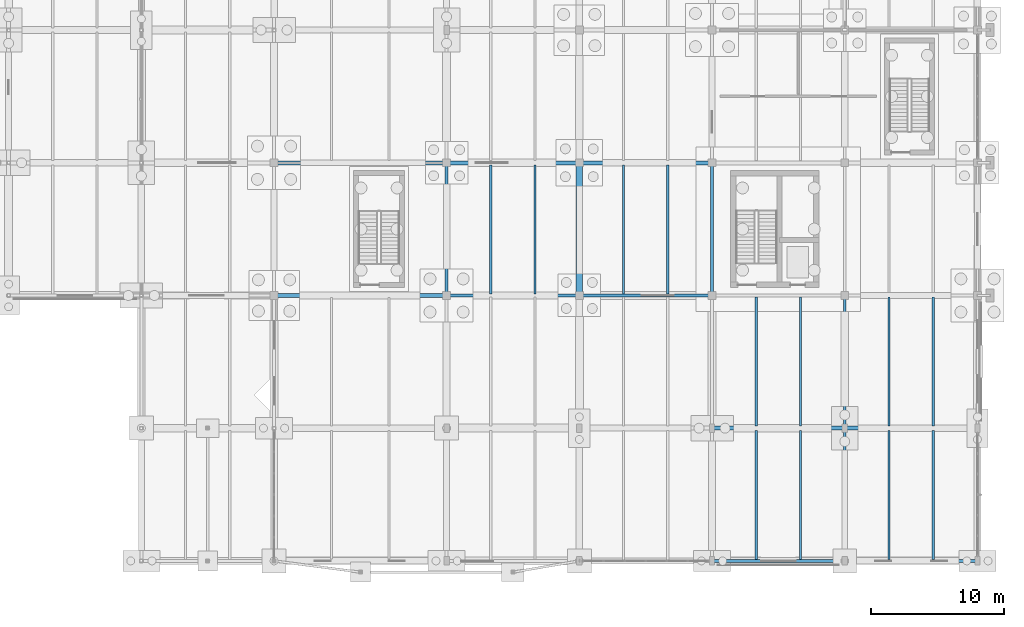
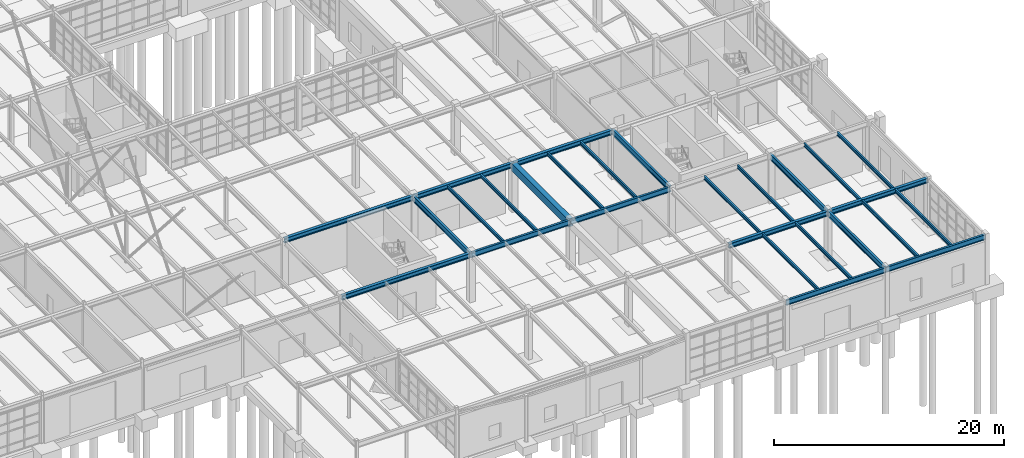
# One storey, part 65 of 145: 27 beams.
"""IFC4 building model written with IfcOpenShell, lengths in metres."""

from ifc_helpers import new_model, si_unit, direction, frame, origin, origin_2d, place, context, subcontext, project, spatial, rectangle, i_section, extrude, material, material_profile, profile_set, type_object, element, save


model = new_model("IFC4")

# Units and contexts
model_context = context("Model", 3, precision=1e-05, world=origin(), true_north=direction((0.0, 1.0)))
body_context = subcontext(model_context, "Body", "Model", "MODEL_VIEW")
ifc_project = project(units=[si_unit("LENGTHUNIT", "METRE"), si_unit("AREAUNIT", "SQUARE_METRE"), si_unit("VOLUMEUNIT", "CUBIC_METRE"), si_unit("PLANEANGLEUNIT", "RADIAN"), si_unit("MASSUNIT", "GRAM", prefix="KILO"), si_unit("THERMODYNAMICTEMPERATUREUNIT", "KELVIN"), si_unit("POWERUNIT", "WATT")], contexts=[model_context])

# Site, building, storey
site_placement = place(None, origin())
site = spatial("IfcSite", under=ifc_project, at=site_placement, CompositionType="ELEMENT")
building_placement = place(site_placement, origin())
building = spatial("IfcBuilding", under=site, at=building_placement, Name="Korenveer Ferry Terminal", CompositionType="ELEMENT")
storey_placement = place(building_placement, origin())
storey = spatial("IfcBuildingStorey", under=building, at=storey_placement, Name="L00", CompositionType="ELEMENT", Elevation=0.0)

# Beams
ifc_material_1 = material(Name="Steel S355", Category="steel")
ifc_material_profile_1 = material_profile(ifc_material_1, i_section(OverallWidth=0.300048828125, OverallDepth=0.5, WebThickness=0.014404296875, FlangeThickness=0.028076171875, FilletRadius=0.027099609375, at=origin_2d()), Name="HEB 500")
ifc_profile_set_1 = profile_set([ifc_material_profile_1], Name="Steel S355")
beam_type_1 = type_object("IfcBeamType", Name="STR-BM-HEB500", PredefinedType="BEAM", material=ifc_profile_set_1)
for number, where, z_axis, x_axis, name in (
    (1, (156.02001953125, 10.0, 4.8701171875), (1.0, 0.0, 0.0), (0.0, 1.0, 0.0), "Primary X girder BMX-L01-X156-166-Y10"),
    (2, (166.02001953125, 10.0, 4.8701171875), (1.0, 0.0, 0.0), (0.0, 1.0, 0.0), "Primary X girder BMX-L01-X166-176-Y10"),
):
    element("IfcBeam", number, at=place(storey_placement, frame(where, z_axis=z_axis, x_axis=x_axis)), inside=storey, type_object=beam_type_1, Name=name, PredefinedType="BEAM", context=body_context, shape_type="SweptSolid", body=[
        extrude(i_section(OverallWidth=0.300048828125, OverallDepth=0.5, WebThickness=0.014404296875, FlangeThickness=0.028076171875, FilletRadius=0.027099609375, at=origin_2d()), origin(), (0.0, 0.0, 1.0), 9.9599609375),
    ])
for number, where, z_axis, x_axis, name in (
    (3, (123.02001953125, 20.0, 4.8701171875), (1.0, 0.0, 0.0), (0.0, 1.0, 0.0), "Primary X girder BMX-L01-X123-136-Y20"),
    (4, (123.02001953125, 30.0, 4.8701171875), (1.0, 0.0, 0.0), (0.0, 1.0, 0.0), "Primary X girder BMX-L01-X123-136-Y30"),
):
    element("IfcBeam", number, at=place(storey_placement, frame(where, z_axis=z_axis, x_axis=x_axis)), inside=storey, type_object=beam_type_1, Name=name, PredefinedType="BEAM", context=body_context, shape_type="SweptSolid", body=[
        extrude(i_section(OverallWidth=0.300048828125, OverallDepth=0.5, WebThickness=0.014404296875, FlangeThickness=0.028076171875, FilletRadius=0.027099609375, at=origin_2d()), origin(), (0.0, 0.0, 1.0), 12.9599609375),
    ])
for number, where, z_axis, x_axis, name in (
    (5, (136.02001953125, 30.0, 4.8701171875), (1.0, 0.0, 0.0), (0.0, 1.0, 0.0), "Primary X girder BMX-L01-X136-146-Y30"),
    (6, (146.02001953125, 30.0, 4.8701171875), (1.0, 0.0, 0.0), (0.0, 1.0, 0.0), "Primary X girder BMX-L01-X146-156-Y30"),
):
    element("IfcBeam", number, at=place(storey_placement, frame(where, z_axis=z_axis, x_axis=x_axis)), inside=storey, type_object=beam_type_1, Name=name, PredefinedType="BEAM", context=body_context, shape_type="SweptSolid", body=[
        extrude(i_section(OverallWidth=0.300048828125, OverallDepth=0.5, WebThickness=0.014404296875, FlangeThickness=0.028076171875, FilletRadius=0.027099609375, at=origin_2d()), origin(), (0.0, 0.0, 1.0), 9.9599609375),
    ])
ifc_material_profile_2 = material_profile(ifc_material_1, i_section(OverallWidth=0.2099609375, OverallDepth=0.550048828125, WebThickness=0.010986328125, FlangeThickness=0.01708984375, FilletRadius=0.02392578125, at=origin_2d()), Name="IPE 550")
ifc_profile_set_2 = profile_set([ifc_material_profile_2], Name="Steel S355")
beam_type_2 = type_object("IfcBeamType", Name="STR-BM-IPE550", PredefinedType="BEAM", material=ifc_profile_set_2)
for number, where, z_axis, x_axis, name in (
    (7, (156.02001953125, 0.0, 4.905029296875), (1.0, 0.0, 0.0), (0.0, 1.0, 0.0), "Primary X girder BMX-L01-X156-166-Y0"),
    (8, (166.02001953125, 0.0, 4.905029296875), (1.0, 0.0, 0.0), (0.0, 1.0, 0.0), "Primary X girder BMX-L01-X166-176-Y0"),
    (9, (136.02001953125, 20.0, 4.844970703125), (1.0, 0.0, 0.0), (0.0, 1.0, 0.0), "Primary X girder BMX-L01-X136-146-Y20"),
    (10, (146.02001953125, 20.0, 4.844970703125), (1.0, 0.0, 0.0), (0.0, 1.0, 0.0), "Primary X girder BMX-L01-X146-156-Y20"),
):
    element("IfcBeam", number, at=place(storey_placement, frame(where, z_axis=z_axis, x_axis=x_axis)), inside=storey, type_object=beam_type_2, Name=name, PredefinedType="BEAM", context=body_context, shape_type="SweptSolid", body=[
        extrude(i_section(OverallWidth=0.2099609375, OverallDepth=0.550048828125, WebThickness=0.010986328125, FlangeThickness=0.01708984375, FilletRadius=0.02392578125, at=origin_2d()), origin(), (0.0, 0.0, 1.0), 9.9599609375),
    ])
ifc_material_profile_3 = material_profile(ifc_material_1, i_section(OverallWidth=0.219970703125, OverallDepth=0.60009765625, WebThickness=0.011962890625, FlangeThickness=0.01904296875, FilletRadius=0.02392578125, at=origin_2d()), Name="IPE 600")
ifc_profile_set_3 = profile_set([ifc_material_profile_3], Name="Steel S355")
beam_type_3 = type_object("IfcBeamType", Name="STR-BM-IPE600", PredefinedType="BEAM", material=ifc_profile_set_3)
for number, where, z_axis, x_axis, name in (
    (11, (136.0, 20.02001953125, 4.820068359375), (0.0, 1.0, 0.0), (-1.0, 0.0, 0.0), "Primary Y girder BMY-L01-X136-Y20-30"),
    (12, (156.0, 20.02001953125, 4.820068359375), (0.0, 1.0, 0.0), (-1.0, 0.0, 0.0), "Primary Y girder BMY-L01-X156-Y20-30"),
    (13, (166.0, 0.02001953125, 4.8798828125), (0.0, 1.0, 0.0), (-1.0, 0.0, 0.0), "Primary Y girder BMY-L01-X166-Y0-10"),
    (14, (166.0, 10.02001953125, 4.820068359375), (0.0, 1.0, 0.0), (-1.0, 0.0, 0.0), "Primary Y girder BMY-L01-X166-Y10-20"),
):
    element("IfcBeam", number, at=place(storey_placement, frame(where, z_axis=z_axis, x_axis=x_axis)), inside=storey, type_object=beam_type_3, Name=name, PredefinedType="BEAM", context=body_context, shape_type="SweptSolid", body=[
        extrude(i_section(OverallWidth=0.219970703125, OverallDepth=0.60009765625, WebThickness=0.011962890625, FlangeThickness=0.01904296875, FilletRadius=0.02392578125, at=origin_2d()), origin(), (0.0, 0.0, 1.0), 9.9599609375),
    ])
ifc_material_2 = material(Name="Concrete C40/50", Category="concrete")
ifc_material_profile_4 = material_profile(ifc_material_2, rectangle(XDim=0.5, YDim=0.800048828125, at=origin_2d()), Name="RC 500x800")
ifc_profile_set_4 = profile_set([ifc_material_profile_4], Name="Concrete C40/50")
beam_type_4 = type_object("IfcBeamType", Name="STR-BM-RC500X800", PredefinedType="BEAM", material=ifc_profile_set_4)
beam_placement = place(storey_placement, frame((146.0, 20.02001953125, 4.719970703125), z_axis=(0.0, 1.0, 0.0), x_axis=(-1.0, 0.0, 0.0)))
element("IfcBeam", 15, at=beam_placement, inside=storey, type_object=beam_type_4, Name="Primary Y girder BMY-L01-X146-Y20-30", PredefinedType="BEAM", context=body_context, shape_type="SweptSolid", body=[
    extrude(rectangle(XDim=0.5, YDim=0.800048828125, at=origin_2d()), origin(), (0.0, 0.0, 1.0), 9.9599609375),
])
ifc_material_profile_5 = material_profile(ifc_material_1, i_section(OverallWidth=0.169921875, OverallDepth=0.360107421875, WebThickness=0.008056640625, FlangeThickness=0.0126953125, FilletRadius=0.01806640625, at=origin_2d()), Name="IPE 360")
ifc_profile_set_5 = profile_set([ifc_material_profile_5], Name="Steel S355")
beam_type_5 = type_object("IfcBeamType", Name="STR-JST-IPE360", PredefinedType="JOIST", material=ifc_profile_set_5)
for number, where, z_axis, x_axis, name in (
    (16, (139.333251953125, 20.114990234375, 4.93994140625), (0.0, 1.0, 0.0), (-1.0, 0.0, 0.0), "Secondary composite joist JST-L01-X1393-Y20-30"),
    (17, (142.666748046875, 20.114990234375, 4.93994140625), (0.0, 1.0, 0.0), (-1.0, 0.0, 0.0), "Secondary composite joist JST-L01-X1427-Y20-30"),
    (18, (149.333251953125, 20.114990234375, 4.93994140625), (0.0, 1.0, 0.0), (-1.0, 0.0, 0.0), "Secondary composite joist JST-L01-X1493-Y20-30"),
    (19, (152.666748046875, 20.114990234375, 4.93994140625), (0.0, 1.0, 0.0), (-1.0, 0.0, 0.0), "Secondary composite joist JST-L01-X1527-Y20-30"),
    (20, (159.333251953125, 0.114990234375, 5.0), (0.0, 1.0, 0.0), (-1.0, 0.0, 0.0), "Secondary composite joist JST-L01-X1593-Y0-10"),
    (21, (162.666748046875, 0.114990234375, 5.0), (0.0, 1.0, 0.0), (-1.0, 0.0, 0.0), "Secondary composite joist JST-L01-X1627-Y0-10"),
    (22, (159.333251953125, 10.159912109375, 4.93994140625), (0.0, 1.0, 0.0), (-1.0, 0.0, 0.0), "Secondary composite joist JST-L01-X1593-Y10-20"),
    (23, (162.666748046875, 10.159912109375, 4.93994140625), (0.0, 1.0, 0.0), (-1.0, 0.0, 0.0), "Secondary composite joist JST-L01-X1627-Y10-20"),
    (24, (169.333251953125, 0.114990234375, 5.0), (0.0, 1.0, 0.0), (-1.0, 0.0, 0.0), "Secondary composite joist JST-L01-X1693-Y0-10"),
    (25, (172.666748046875, 0.114990234375, 5.0), (0.0, 1.0, 0.0), (-1.0, 0.0, 0.0), "Secondary composite joist JST-L01-X1727-Y0-10"),
    (26, (169.333251953125, 10.159912109375, 4.93994140625), (0.0, 1.0, 0.0), (-1.0, 0.0, 0.0), "Secondary composite joist JST-L01-X1693-Y10-20"),
    (27, (172.666748046875, 10.159912109375, 4.93994140625), (0.0, 1.0, 0.0), (-1.0, 0.0, 0.0), "Secondary composite joist JST-L01-X1727-Y10-20"),
):
    element("IfcBeam", number, at=place(storey_placement, frame(where, z_axis=z_axis, x_axis=x_axis)), inside=storey, type_object=beam_type_5, Name=name, PredefinedType="JOIST", context=body_context, shape_type="SweptSolid", body=[
        extrude(i_section(OverallWidth=0.169921875, OverallDepth=0.360107421875, WebThickness=0.008056640625, FlangeThickness=0.0126953125, FilletRadius=0.01806640625, at=origin_2d()), origin(), (0.0, 0.0, 1.0), 9.72509765625),
    ])

save(model, "model.ifc")
